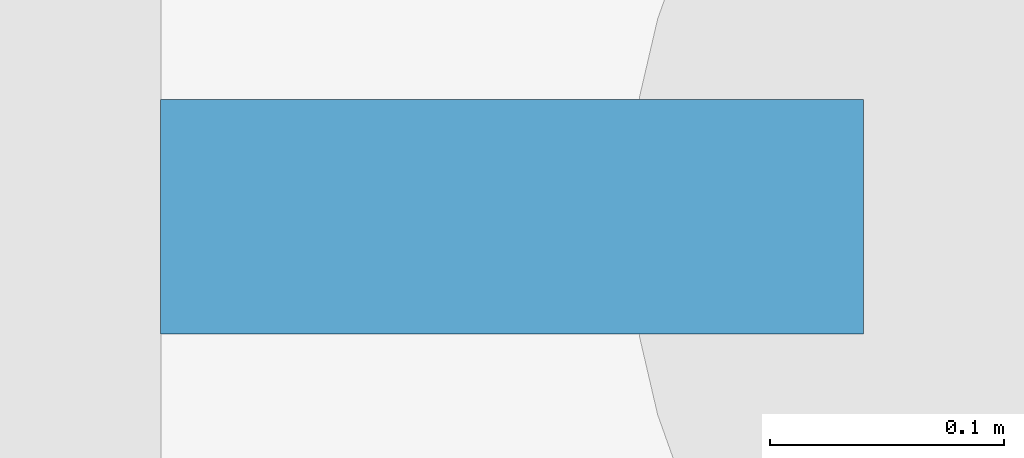
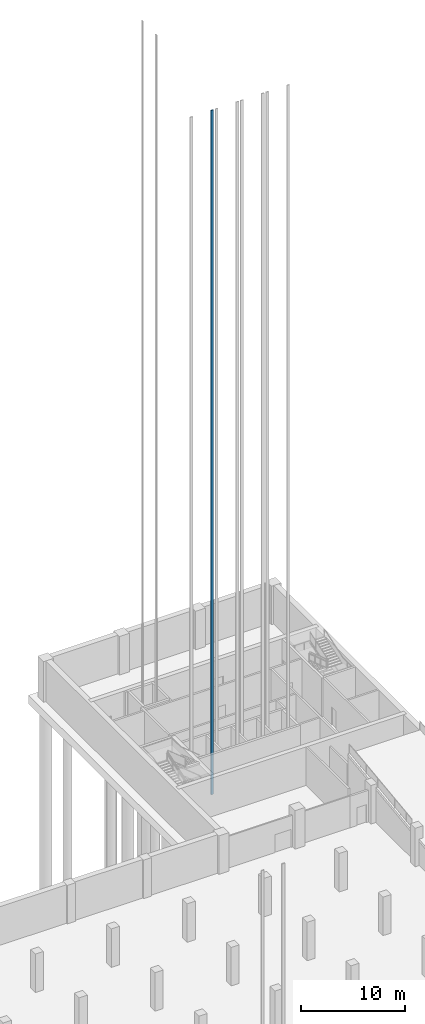
# One storey, part 13 of 26: 1 discrete accessory.
"""IFC4 building model written with IfcOpenShell, lengths in metres."""

from ifc_helpers import new_model, si_unit, direction, frame, origin, origin_2d, place, context, subcontext, project, spatial, rectangle, extrude, material, type_object, element, save


model = new_model("IFC4")

# Units and contexts
model_context = context("Model", 3, precision=1e-05, world=origin(), true_north=direction((0.0, 1.0)))
body_context = subcontext(model_context, "Body", "Model", "MODEL_VIEW")
ifc_project = project(units=[si_unit("LENGTHUNIT", "METRE"), si_unit("AREAUNIT", "SQUARE_METRE"), si_unit("VOLUMEUNIT", "CUBIC_METRE"), si_unit("PLANEANGLEUNIT", "RADIAN"), si_unit("MASSUNIT", "GRAM", prefix="KILO")], contexts=[model_context])

# Site, building, storey
site_placement = place(None, origin())
site = spatial("IfcSite", under=ifc_project, at=site_placement, CompositionType="ELEMENT")
building_placement = place(site_placement, origin())
building = spatial("IfcBuilding", under=site, at=building_placement, Name="Rulbaag Community and Learning Centre", CompositionType="ELEMENT")
storey_placement = place(building_placement, frame((0.0, 0.0, -9.60009765625)))
storey = spatial("IfcBuildingStorey", under=building, at=storey_placement, Name="B2", CompositionType="ELEMENT", Elevation=-9.60009765625)

# Discrete accessory
ifc_material = material(Name="Steel E350", Category="steel")
discrete_accessory_type = type_object("IfcDiscreteAccessoryType", Name="LR-GUIDE RAIL 300 x 100", PredefinedType="BRACKET", material=ifc_material)
discrete_accessory_placement = place(storey_placement, frame((149.449951171875, 97.25, -1.5), z_axis=(0.0, 0.0, 1.0), x_axis=(1.0, 0.0, 0.0)))
element("IfcDiscreteAccessory", 1, at=discrete_accessory_placement, inside=storey, type_object=discrete_accessory_type, Name="Guide rail LP1 E", PredefinedType="BRACKET", context=body_context, shape_type="SweptSolid", body=[
    extrude(rectangle(XDim=0.300048828125, YDim=0.10009765625, at=origin_2d()), origin(), (0.0, 0.0, 1.0), 80.0),
])

save(model, "model.ifc")
